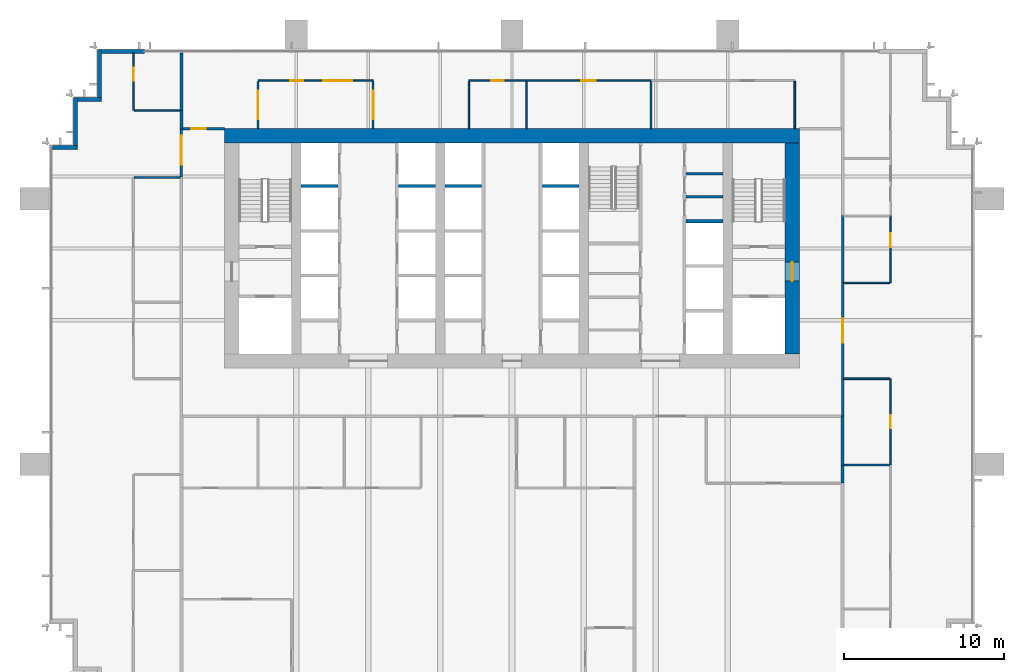
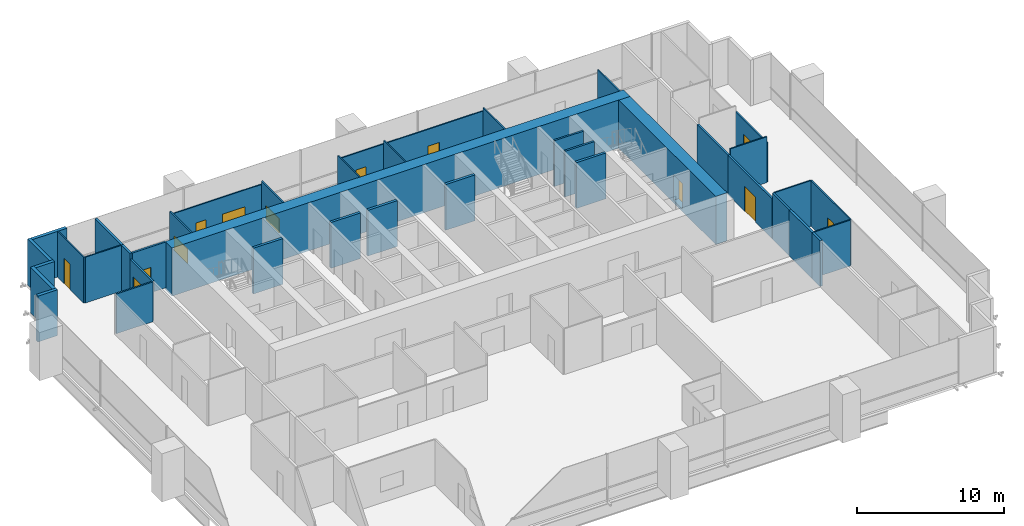
# One storey, part 13 of 16: 40 walls, 10 doors, 3 windows, 13 openings.
"""IFC4 building model written with IfcOpenShell, lengths in metres."""

from ifc_helpers import new_model, si_unit, direction, frame, frame_2d, origin, place, context, subcontext, project, spatial, rectangle, extrude, material, layer, layer_set, type_object, element, fill, save


model = new_model("IFC4")

# Units and contexts
model_context = context("Model", 3, precision=1e-05, world=origin(), true_north=direction((0.0, 1.0)))
body_context = subcontext(model_context, "Body", "Model", "MODEL_VIEW")
ifc_project = project(units=[si_unit("LENGTHUNIT", "METRE"), si_unit("AREAUNIT", "SQUARE_METRE"), si_unit("VOLUMEUNIT", "CUBIC_METRE"), si_unit("PLANEANGLEUNIT", "RADIAN"), si_unit("MASSUNIT", "GRAM", prefix="KILO")], contexts=[model_context])

# Site, building, storey
site_placement = place(None, origin())
site = spatial("IfcSite", under=ifc_project, at=site_placement, CompositionType="ELEMENT")
building_placement = place(site_placement, origin())
building = spatial("IfcBuilding", under=site, at=building_placement, Name="Rattan Terrace Tower", CompositionType="ELEMENT")
storey_placement = place(building_placement, frame((0.0, 0.0, 130.10009765625)))
storey = spatial("IfcBuildingStorey", under=building, at=storey_placement, Name="L29", CompositionType="ELEMENT", Elevation=130.10009765625)

# Walls
ifc_material_1 = material(Name="Gypsum board partition")
ifc_layer_1 = layer(ifc_material_1, 0.14990234375)
ifc_layer_set_1 = layer_set([ifc_layer_1], Name="Core partition 150")
wall_type_1 = type_object("IfcWallType", Name="Core partition 150", PredefinedType="PARTITIONING", material=ifc_layer_set_1)
for number, where, z_axis, x_axis, name in (
    (1, (10.89990234375, 3.239990234375, 0.0), (0.0, 0.0, 1.0), (1.0, 0.0, 0.0), "Riser room wall"),
    (2, (10.89990234375, 4.679931640625, 0.0), (0.0, 0.0, 1.0), (1.0, 0.0, 0.0), "Riser room wall"),
):
    element("IfcWall", number, at=place(storey_placement, frame(where, z_axis=z_axis, x_axis=x_axis)), inside=storey, type_object=wall_type_1, Name=name, PredefinedType="PARTITIONING", context=body_context, shape_type="SweptSolid", body=[
        extrude(rectangle(XDim=2.300048828125, YDim=0.14990234375, at=frame_2d((1.14990234375, 0.0))), origin(), (0.0, 0.0, 1.0), 3.7998046875),
    ])
ifc_material_2 = material(Name="Concrete C60/75", Category="concrete")
ifc_layer_2 = layer(ifc_material_2, 0.89990234375)
ifc_layer_set_2 = layer_set([ifc_layer_2], Name="Core ring wall 900 C60/75")
wall_type_2 = type_object("IfcWallType", Name="Core ring wall 900 C60/75", PredefinedType="SHEAR", material=ifc_layer_set_2)
wall_1_placement = place(storey_placement, frame((-18.0, 7.050048828125, -0.2001953125), z_axis=(0.0, 0.0, 1.0), x_axis=(1.0, 0.0, 0.0)))
element("IfcWall", 3, at=wall_1_placement, inside=storey, type_object=wall_type_2, Name="Rear core wall north", PredefinedType="SHEAR", context=body_context, shape_type="SweptSolid", body=[
    extrude(rectangle(XDim=36.0, YDim=0.89990234375, at=frame_2d((18.0, 0.0))), origin(), (0.0, 0.0, 1.0), 4.0),
])

# Wall, opening, door
wall_2_placement = place(storey_placement, frame((17.550048828125, -6.60009765625, -0.2001953125), z_axis=(0.0, 0.0, 1.0), x_axis=(0.0, 1.0, 0.0)))
wall_2 = element("IfcWall", 4, at=wall_2_placement, inside=storey, type_object=wall_type_2, Name="Rear core wall east", PredefinedType="SHEAR", context=body_context, shape_type="SweptSolid", body=[
    extrude(rectangle(XDim=13.2001953125, YDim=0.89990234375, at=frame_2d((6.60009765625, 0.0))), origin(), (0.0, 0.0, 1.0), 4.0),
])
opening_1_placement = place(wall_2_placement, frame((4.550048828125, 0.0, 0.199951171875)))
opening_1 = element("IfcOpeningElement", 5, at=opening_1_placement, cuts=wall_2, Name="Opening L29-D003", PredefinedType="OPENING", context=body_context, shape_type="SweptSolid", body=[
    extrude(rectangle(XDim=1.199951171875, YDim=2.10009765625, at=frame_2d((0.60009765625, 1.050048828125))), frame((0.0, 0.46044921875, 0.0), z_axis=(0.0, -1.0, 0.0), x_axis=(1.0, 0.0, 0.0)), (0.0, 0.0, 1.0), 0.9208984375),
])
ifc_material_3 = material(Name="Hollow-metal fire door leaf")
door_type_1 = type_object("IfcDoorType", Name="Core fire-fighting lobby door 1200", OperationType="NOTDEFINED", PredefinedType="DOOR", material=ifc_material_3)
door_1_placement = place(opening_1_placement, origin())
door_1 = element("IfcDoor", 6, at=door_1_placement, inside=storey, type_object=door_type_1, Name="Door L29-D003", OperationType="SINGLE_SWING_RIGHT", OverallHeight=2.10009765625, OverallWidth=1.199951171875, PredefinedType="DOOR", context=body_context, shape_type="SweptSolid", body=[
    extrude(rectangle(XDim=1.199951171875, YDim=2.10009765625, at=frame_2d((0.60009765625, 1.050048828125))), frame((0.0, 0.02490234375, 0.0), z_axis=(0.0, -1.0, 0.0), x_axis=(1.0, 0.0, 0.0)), (0.0, 0.0, 1.0), 0.050048828125),
])
fill(opening_1, door_1)

# Walls
ifc_material_4 = material(Name="Insulated aluminium-clad stud wall", Category="aluminium")
ifc_layer_3 = layer(ifc_material_4, 0.25)
ifc_layer_set_3 = layer_set([ifc_layer_3], Name="Facade Riser Wall 250")
wall_type_3 = type_object("IfcWallType", Name="Facade Riser Wall 250", PredefinedType="SOLIDWALL", material=ifc_layer_set_3)
wall_3_placement = place(storey_placement, frame((-23.0, 12.330078125, 0.0), z_axis=(0.0, 0.0, 1.0), x_axis=(-1.0, 0.0, 0.0)))
element("IfcWall", 7, at=wall_3_placement, inside=storey, type_object=wall_type_3, Name="Riser wall L29-11", PredefinedType="SOLIDWALL", context=body_context, shape_type="SweptSolid", body=[
    extrude(rectangle(XDim=2.705078125, YDim=0.25, at=frame_2d((1.3525390625, 0.0))), origin(), (0.0, 0.0, 1.0), 3.7998046875),
])
wall_4_placement = place(storey_placement, frame((-25.830078125, 12.455078125, 0.0), z_axis=(0.0, 0.0, 1.0), x_axis=(0.0, -1.0, 0.0)))
element("IfcWall", 8, at=wall_4_placement, inside=storey, type_object=wall_type_3, Name="Riser wall L29-12", PredefinedType="SOLIDWALL", context=body_context, shape_type="SweptSolid", body=[
    extrude(rectangle(XDim=3.0, YDim=0.25, at=frame_2d((1.5, 0.0))), origin(), (0.0, 0.0, 1.0), 3.7998046875),
])
wall_5_placement = place(storey_placement, frame((-25.705078125, 9.330078125, 0.0), z_axis=(0.0, 0.0, 1.0), x_axis=(-1.0, 0.0, 0.0)))
element("IfcWall", 9, at=wall_5_placement, inside=storey, type_object=wall_type_3, Name="Riser wall L29-13", PredefinedType="SOLIDWALL", context=body_context, shape_type="SweptSolid", body=[
    extrude(rectangle(XDim=1.5, YDim=0.25, at=frame_2d((0.75, 0.0))), origin(), (0.0, 0.0, 1.0), 3.7998046875),
])
wall_6_placement = place(storey_placement, frame((-27.330078125, 9.455078125, 0.0), z_axis=(0.0, 0.0, 1.0), x_axis=(0.0, -1.0, 0.0)))
element("IfcWall", 10, at=wall_6_placement, inside=storey, type_object=wall_type_3, Name="Riser wall L29-14", PredefinedType="SOLIDWALL", context=body_context, shape_type="SweptSolid", body=[
    extrude(rectangle(XDim=3.0, YDim=0.25, at=frame_2d((1.5, 0.0))), origin(), (0.0, 0.0, 1.0), 3.7998046875),
])
wall_7_placement = place(storey_placement, frame((-27.205078125, 6.330078125, 0.0), z_axis=(0.0, 0.0, 1.0), x_axis=(-1.0, 0.0, 0.0)))
element("IfcWall", 11, at=wall_7_placement, inside=storey, type_object=wall_type_3, Name="Riser wall L29-15", PredefinedType="SOLIDWALL", context=body_context, shape_type="SweptSolid", body=[
    extrude(rectangle(XDim=1.544921875, YDim=0.25, at=frame_2d((0.7724609375, 0.0))), origin(), (0.0, 0.0, 1.0), 3.7998046875),
])
ifc_material_5 = material(Name="Double steel stud acoustic partition, gypsum board, mineral wool, fire rated", Category="steel")
ifc_layer_4 = layer(ifc_material_5, 0.179931640625)
ifc_layer_set_4 = layer_set([ifc_layer_4], Name="Floors Acoustic Party Wall 180")
wall_type_4 = type_object("IfcWallType", Name="Floors Acoustic Party Wall 180", PredefinedType="PARTITIONING", material=ifc_layer_set_4)
wall_8_placement = place(storey_placement, frame((-20.699951171875, 8.639892578125, 0.0), z_axis=(0.0, 0.0, 1.0), x_axis=(0.0, -1.0, 0.0)))
element("IfcWall", 12, at=wall_8_placement, inside=storey, type_object=wall_type_4, Name="pt-L29-030", PredefinedType="PARTITIONING", context=body_context, shape_type="SweptSolid", body=[
    extrude(rectangle(XDim=1.159912109375, YDim=0.179931640625, at=frame_2d((0.580078125, 0.0))), origin(), (0.0, 0.0, 1.0), 3.7998046875),
])
wall_9_placement = place(storey_placement, frame((-20.699951171875, 12.239990234375, 0.0), z_axis=(0.0, 0.0, 1.0), x_axis=(0.0, -1.0, 0.0)))
element("IfcWall", 13, at=wall_9_placement, inside=storey, type_object=wall_type_4, Name="pt-L29-037", PredefinedType="PARTITIONING", context=body_context, shape_type="SweptSolid", body=[
    extrude(rectangle(XDim=3.60009765625, YDim=0.179931640625, at=frame_2d((1.800048828125, 0.0))), origin(), (0.0, 0.0, 1.0), 3.7998046875),
])
wall_10_placement = place(storey_placement, frame((20.699951171875, -13.580078125, 0.0), z_axis=(0.0, 0.0, 1.0), x_axis=(0.0, -1.0, 0.0)))
element("IfcWall", 14, at=wall_10_placement, inside=storey, type_object=wall_type_4, Name="pt-L29-060", PredefinedType="PARTITIONING", context=body_context, shape_type="SweptSolid", body=[
    extrude(rectangle(XDim=1.119873046875, YDim=0.179931640625, at=frame_2d((0.56005859375, 0.0))), origin(), (0.0, 0.0, 1.0), 3.7998046875),
])
wall_11_placement = place(storey_placement, frame((20.699951171875, -10.5, 0.0), z_axis=(0.0, 0.0, 1.0), x_axis=(0.0, -1.0, 0.0)))
element("IfcWall", 15, at=wall_11_placement, inside=storey, type_object=wall_type_4, Name="pt-L29-061", PredefinedType="PARTITIONING", context=body_context, shape_type="SweptSolid", body=[
    extrude(rectangle(XDim=3.080078125, YDim=0.179931640625, at=frame_2d((1.5400390625, 0.0))), origin(), (0.0, 0.0, 1.0), 3.7998046875),
])

# Wall, opening, door
ifc_material_6 = material(Name="Gypsum board partition on steel studs", Category="steel")
ifc_layer_5 = layer(ifc_material_6, 0.10009765625)
ifc_layer_set_5 = layer_set([ifc_layer_5], Name="Floors Partition 100")
wall_type_5 = type_object("IfcWallType", Name="Floors Partition 100", PredefinedType="PARTITIONING", material=ifc_layer_set_5)
wall_12_placement = place(storey_placement, frame((-23.699951171875, 12.239990234375, 0.0), z_axis=(0.0, 0.0, 1.0), x_axis=(0.0, -1.0, 0.0)))
wall_12 = element("IfcWall", 16, at=wall_12_placement, inside=storey, type_object=wall_type_5, Name="pt-L29-027", PredefinedType="PARTITIONING", context=body_context, shape_type="SweptSolid", body=[
    extrude(rectangle(XDim=3.60009765625, YDim=0.10009765625, at=frame_2d((1.800048828125, 0.0))), origin(), (0.0, 0.0, 1.0), 3.7998046875),
])
opening_2_placement = place(wall_12_placement, frame((0.93994140625, 0.0, 0.0)))
opening_2 = element("IfcOpeningElement", 17, at=opening_2_placement, cuts=wall_12, Name="Opening L29-D105", PredefinedType="OPENING", context=body_context, shape_type="SweptSolid", body=[
    extrude(rectangle(XDim=0.800048828125, YDim=2.10009765625, at=frame_2d((0.39990234375, 1.050048828125))), frame((0.0, 0.060546875, 0.0), z_axis=(0.0, -1.0, 0.0), x_axis=(1.0, 0.0, 0.0)), (0.0, 0.0, 1.0), 0.12109375),
])
ifc_material_7 = material(Name="Solid core timber door, painted", Category="wood")
door_type_2 = type_object("IfcDoorType", Name="Floors Store Door 800x2100", OperationType="NOTDEFINED", PredefinedType="DOOR", material=ifc_material_7)
door_2_placement = place(opening_2_placement, origin())
door_2 = element("IfcDoor", 18, at=door_2_placement, inside=storey, type_object=door_type_2, Name="d-L29-105", OperationType="SINGLE_SWING_LEFT", OverallHeight=2.10009765625, OverallWidth=0.800048828125, PredefinedType="DOOR", context=body_context, shape_type="SweptSolid", body=[
    extrude(rectangle(XDim=0.800048828125, YDim=2.10009765625, at=frame_2d((0.39990234375, 1.050048828125))), frame((0.0, 0.02490234375, 0.0), z_axis=(0.0, -1.0, 0.0), x_axis=(1.0, 0.0, 0.0)), (0.0, 0.0, 1.0), 0.050048828125),
])
fill(opening_2, door_2)

# Walls
wall_13_placement = place(storey_placement, frame((-23.64990234375, 8.639892578125, 0.0), z_axis=(0.0, 0.0, 1.0), x_axis=(1.0, 0.0, 0.0)))
element("IfcWall", 19, at=wall_13_placement, inside=storey, type_object=wall_type_5, Name="pt-L29-028", PredefinedType="PARTITIONING", context=body_context, shape_type="SweptSolid", body=[
    extrude(rectangle(XDim=2.85986328125, YDim=0.10009765625, at=frame_2d((1.429931640625, 0.0))), origin(), (0.0, 0.0, 1.0), 3.7998046875),
])
wall_14_placement = place(storey_placement, frame((23.64990234375, -8.159912109375, 0.0), z_axis=(0.0, 0.0, 1.0), x_axis=(-1.0, 0.0, 0.0)))
element("IfcWall", 20, at=wall_14_placement, inside=storey, type_object=wall_type_5, Name="pt-L29-065", PredefinedType="PARTITIONING", context=body_context, shape_type="SweptSolid", body=[
    extrude(rectangle(XDim=2.875, YDim=0.10009765625, at=frame_2d((1.4375, 0.0))), origin(), (0.0, 0.0, 1.0), 3.7998046875),
])

# Wall, opening, door
wall_15_placement = place(storey_placement, frame((23.699951171875, -13.5400390625, 0.0), z_axis=(0.0, 0.0, 1.0), x_axis=(0.0, 1.0, 0.0)))
wall_15 = element("IfcWall", 21, at=wall_15_placement, inside=storey, type_object=wall_type_5, Name="pt-L29-066", PredefinedType="PARTITIONING", context=body_context, shape_type="SweptSolid", body=[
    extrude(rectangle(XDim=5.380126953125, YDim=0.10009765625, at=frame_2d((2.68994140625, 0.0))), origin(), (0.0, 0.0, 1.0), 3.7998046875),
])
opening_3_placement = place(wall_15_placement, frame((2.2900390625, 0.0, 0.0)))
opening_3 = element("IfcOpeningElement", 22, at=opening_3_placement, cuts=wall_15, Name="Opening L29-D120", PredefinedType="OPENING", context=body_context, shape_type="SweptSolid", body=[
    extrude(rectangle(XDim=0.800048828125, YDim=2.10009765625, at=frame_2d((0.39990234375, 1.050048828125))), frame((0.0, 0.060546875, 0.0), z_axis=(0.0, -1.0, 0.0), x_axis=(1.0, 0.0, 0.0)), (0.0, 0.0, 1.0), 0.12109375),
])
door_3_placement = place(opening_3_placement, origin())
door_3 = element("IfcDoor", 23, at=door_3_placement, inside=storey, type_object=door_type_2, Name="d-L29-120", OperationType="SINGLE_SWING_LEFT", OverallHeight=2.10009765625, OverallWidth=0.800048828125, PredefinedType="DOOR", context=body_context, shape_type="SweptSolid", body=[
    extrude(rectangle(XDim=0.800048828125, YDim=2.10009765625, at=frame_2d((0.39990234375, 1.050048828125))), frame((0.0, 0.02490234375, 0.0), z_axis=(0.0, -1.0, 0.0), x_axis=(1.0, 0.0, 0.0)), (0.0, 0.0, 1.0), 0.050048828125),
])
fill(opening_3, door_3)

# Wall
wall_16_placement = place(storey_placement, frame((20.77490234375, -2.159912109375, 0.0), z_axis=(0.0, 0.0, 1.0), x_axis=(1.0, 0.0, 0.0)))
element("IfcWall", 24, at=wall_16_placement, inside=storey, type_object=wall_type_5, Name="pt-L29-067", PredefinedType="PARTITIONING", context=body_context, shape_type="SweptSolid", body=[
    extrude(rectangle(XDim=2.875, YDim=0.10009765625, at=frame_2d((1.4375, 0.0))), origin(), (0.0, 0.0, 1.0), 3.7998046875),
])

# Wall, opening, door
wall_17_placement = place(storey_placement, frame((23.699951171875, -2.159912109375, 0.0), z_axis=(0.0, 0.0, 1.0), x_axis=(0.0, 1.0, 0.0)))
wall_17 = element("IfcWall", 25, at=wall_17_placement, inside=storey, type_object=wall_type_5, Name="pt-L29-068", PredefinedType="PARTITIONING", context=body_context, shape_type="SweptSolid", body=[
    extrude(rectangle(XDim=4.219970703125, YDim=0.10009765625, at=frame_2d((2.10986328125, 0.0))), origin(), (0.0, 0.0, 1.0), 3.2998046875),
])
opening_4_placement = place(wall_17_placement, frame((2.22412109375, 0.0, 0.0)))
opening_4 = element("IfcOpeningElement", 26, at=opening_4_placement, cuts=wall_17, Name="Opening L29-D121", PredefinedType="OPENING", context=body_context, shape_type="SweptSolid", body=[
    extrude(rectangle(XDim=0.89990234375, YDim=2.10009765625, at=frame_2d((0.449951171875, 1.050048828125))), frame((0.0, 0.060546875, 0.0), z_axis=(0.0, -1.0, 0.0), x_axis=(1.0, 0.0, 0.0)), (0.0, 0.0, 1.0), 0.12109375),
])
ifc_material_8 = material(Name="Solid core timber door, painted", Category="wood")
door_type_3 = type_object("IfcDoorType", Name="Floors Door 900x2100", OperationType="NOTDEFINED", PredefinedType="DOOR", material=ifc_material_8)
door_4_placement = place(opening_4_placement, origin())
door_4 = element("IfcDoor", 27, at=door_4_placement, inside=storey, type_object=door_type_3, Name="d-L29-121", OperationType="SINGLE_SWING_RIGHT", OverallHeight=2.10009765625, OverallWidth=0.89990234375, PredefinedType="DOOR", context=body_context, shape_type="SweptSolid", body=[
    extrude(rectangle(XDim=0.89990234375, YDim=2.10009765625, at=frame_2d((0.449951171875, 1.050048828125))), frame((0.0, 0.02490234375, 0.0), z_axis=(0.0, -1.0, 0.0), x_axis=(1.0, 0.0, 0.0)), (0.0, 0.0, 1.0), 0.050048828125),
])
fill(opening_4, door_4)

# Wall
wall_18_placement = place(storey_placement, frame((20.7900390625, -13.56005859375, 0.0), z_axis=(0.0, 0.0, 1.0), x_axis=(1.0, 0.0, 0.0)))
element("IfcWall", 28, at=wall_18_placement, inside=storey, type_object=wall_type_5, Name="pt-L29-073", PredefinedType="PARTITIONING", context=body_context, shape_type="SweptSolid", body=[
    extrude(rectangle(XDim=2.85986328125, YDim=0.10009765625, at=frame_2d((1.429931640625, 0.0))), origin(), (0.0, 0.0, 1.0), 3.7998046875),
])

# Wall, opening, window
wall_19_placement = place(storey_placement, frame((-15.89990234375, 10.449951171875, 0.0), z_axis=(0.0, 0.0, 1.0), x_axis=(0.0, -1.0, 0.0)))
wall_19 = element("IfcWall", 29, at=wall_19_placement, inside=storey, type_object=wall_type_5, Name="pt-L29-077", PredefinedType="PARTITIONING", context=body_context, shape_type="SweptSolid", body=[
    extrude(rectangle(XDim=2.949951171875, YDim=0.10009765625, at=frame_2d((1.47509765625, 0.0))), origin(), (0.0, 0.0, 1.0), 3.7998046875),
])
opening_5_placement = place(wall_19_placement, frame((0.574951171875, 0.0, 0.89990234375)))
opening_5 = element("IfcOpeningElement", 30, at=opening_5_placement, cuts=wall_19, Name="Opening L29-W105", PredefinedType="OPENING", context=body_context, shape_type="SweptSolid", body=[
    extrude(rectangle(XDim=1.800048828125, YDim=1.199951171875, at=frame_2d((0.89990234375, 0.60009765625))), frame((0.0, 0.060546875, 0.0), z_axis=(0.0, -1.0, 0.0), x_axis=(1.0, 0.0, 0.0)), (0.0, 0.0, 1.0), 0.12109375),
])
ifc_material_9 = material(Name="Glass, clear, fixed in aluminium frame", Category="aluminium")
window_type = type_object("IfcWindowType", Name="Interior Vision Window 1800x1200", PartitioningType="SINGLE_PANEL", PredefinedType="WINDOW", material=ifc_material_9)
window_1_placement = place(opening_5_placement, origin())
window_1 = element("IfcWindow", 31, at=window_1_placement, inside=storey, type_object=window_type, Name="w-L29-105", OverallHeight=1.199951171875, OverallWidth=1.800048828125, PartitioningType="SINGLE_PANEL", PredefinedType="WINDOW", context=body_context, shape_type="SweptSolid", body=[
    extrude(rectangle(XDim=1.800048828125, YDim=1.199951171875, at=frame_2d((0.89990234375, 0.60009765625))), frame((0.0, 0.030029296875, 0.0), z_axis=(0.0, -1.0, 0.0), x_axis=(1.0, 0.0, 0.0)), (0.0, 0.0, 1.0), 0.06005859375),
])
fill(opening_5, window_1)

# Wall, openings, door, window
wall_20_placement = place(storey_placement, frame((-8.699951171875, 10.5, 0.0), z_axis=(0.0, 0.0, 1.0), x_axis=(-1.0, 0.0, 0.0)))
wall_20 = element("IfcWall", 32, at=wall_20_placement, inside=storey, type_object=wall_type_5, Name="pt-L29-078", PredefinedType="PARTITIONING", context=body_context, shape_type="SweptSolid", body=[
    extrude(rectangle(XDim=7.199951171875, YDim=0.10009765625, at=frame_2d((3.60009765625, 0.0))), origin(), (0.0, 0.0, 1.0), 3.5),
])
opening_6_placement = place(wall_20_placement, frame((4.3798828125, 0.0, 0.0)))
opening_6 = element("IfcOpeningElement", 33, at=opening_6_placement, cuts=wall_20, Name="Opening L29-D125", PredefinedType="OPENING", context=body_context, shape_type="SweptSolid", body=[
    extrude(rectangle(XDim=0.800048828125, YDim=2.10009765625, at=frame_2d((0.39990234375, 1.050048828125))), frame((0.0, 0.060546875, 0.0), z_axis=(0.0, -1.0, 0.0), x_axis=(1.0, 0.0, 0.0)), (0.0, 0.0, 1.0), 0.12109375),
])
opening_7_placement = place(wall_20_placement, frame((1.31494140625, 0.0, 0.89990234375)))
opening_7 = element("IfcOpeningElement", 34, at=opening_7_placement, cuts=wall_20, Name="Opening L29-W106", PredefinedType="OPENING", context=body_context, shape_type="SweptSolid", body=[
    extrude(rectangle(XDim=1.800048828125, YDim=1.199951171875, at=frame_2d((0.89990234375, 0.60009765625))), frame((0.0, 0.060546875, 0.0), z_axis=(0.0, -1.0, 0.0), x_axis=(1.0, 0.0, 0.0)), (0.0, 0.0, 1.0), 0.12109375),
])
door_5_placement = place(opening_6_placement, origin())
door_5 = element("IfcDoor", 35, at=door_5_placement, inside=storey, type_object=door_type_2, Name="d-L29-125", OperationType="SINGLE_SWING_RIGHT", OverallHeight=2.10009765625, OverallWidth=0.800048828125, PredefinedType="DOOR", context=body_context, shape_type="SweptSolid", body=[
    extrude(rectangle(XDim=0.800048828125, YDim=2.10009765625, at=frame_2d((0.39990234375, 1.050048828125))), frame((0.0, 0.02490234375, 0.0), z_axis=(0.0, -1.0, 0.0), x_axis=(1.0, 0.0, 0.0)), (0.0, 0.0, 1.0), 0.050048828125),
])
fill(opening_6, door_5)
window_2_placement = place(opening_7_placement, origin())
window_2 = element("IfcWindow", 36, at=window_2_placement, inside=storey, type_object=window_type, Name="w-L29-106", OverallHeight=1.199951171875, OverallWidth=1.800048828125, PartitioningType="SINGLE_PANEL", PredefinedType="WINDOW", context=body_context, shape_type="SweptSolid", body=[
    extrude(rectangle(XDim=1.800048828125, YDim=1.199951171875, at=frame_2d((0.89990234375, 0.60009765625))), frame((0.0, 0.030029296875, 0.0), z_axis=(0.0, -1.0, 0.0), x_axis=(1.0, 0.0, 0.0)), (0.0, 0.0, 1.0), 0.06005859375),
])
fill(opening_7, window_2)

# Wall, opening, window
wall_21_placement = place(storey_placement, frame((-8.699951171875, 7.5, 0.0), z_axis=(0.0, 0.0, 1.0), x_axis=(0.0, 1.0, 0.0)))
wall_21 = element("IfcWall", 37, at=wall_21_placement, inside=storey, type_object=wall_type_5, Name="pt-L29-079", PredefinedType="PARTITIONING", context=body_context, shape_type="SweptSolid", body=[
    extrude(rectangle(XDim=2.949951171875, YDim=0.10009765625, at=frame_2d((1.47509765625, 0.0))), origin(), (0.0, 0.0, 1.0), 3.7998046875),
])
opening_8_placement = place(wall_21_placement, frame((0.574951171875, 0.0, 0.89990234375)))
opening_8 = element("IfcOpeningElement", 38, at=opening_8_placement, cuts=wall_21, Name="Opening L29-W107", PredefinedType="OPENING", context=body_context, shape_type="SweptSolid", body=[
    extrude(rectangle(XDim=1.800048828125, YDim=1.199951171875, at=frame_2d((0.89990234375, 0.60009765625))), frame((0.0, 0.060546875, 0.0), z_axis=(0.0, -1.0, 0.0), x_axis=(1.0, 0.0, 0.0)), (0.0, 0.0, 1.0), 0.12109375),
])
window_3_placement = place(opening_8_placement, origin())
window_3 = element("IfcWindow", 39, at=window_3_placement, inside=storey, type_object=window_type, Name="w-L29-107", OverallHeight=1.199951171875, OverallWidth=1.800048828125, PartitioningType="SINGLE_PANEL", PredefinedType="WINDOW", context=body_context, shape_type="SweptSolid", body=[
    extrude(rectangle(XDim=1.800048828125, YDim=1.199951171875, at=frame_2d((0.89990234375, 0.60009765625))), frame((0.0, 0.030029296875, 0.0), z_axis=(0.0, -1.0, 0.0), x_axis=(1.0, 0.0, 0.0)), (0.0, 0.0, 1.0), 0.06005859375),
])
fill(opening_8, window_3)

# Wall
wall_22_placement = place(storey_placement, frame((-2.699951171875, 10.449951171875, 0.0), z_axis=(0.0, 0.0, 1.0), x_axis=(0.0, -1.0, 0.0)))
element("IfcWall", 40, at=wall_22_placement, inside=storey, type_object=wall_type_5, Name="pt-L29-080", PredefinedType="PARTITIONING", context=body_context, shape_type="SweptSolid", body=[
    extrude(rectangle(XDim=2.949951171875, YDim=0.10009765625, at=frame_2d((1.47509765625, 0.0))), origin(), (0.0, 0.0, 1.0), 3.7998046875),
])

# Wall, opening, door
wall_23_placement = place(storey_placement, frame((0.8798828125, 10.5, 0.0), z_axis=(0.0, 0.0, 1.0), x_axis=(-1.0, 0.0, 0.0)))
wall_23 = element("IfcWall", 41, at=wall_23_placement, inside=storey, type_object=wall_type_5, Name="pt-L29-081", PredefinedType="PARTITIONING", context=body_context, shape_type="SweptSolid", body=[
    extrude(rectangle(XDim=3.579833984375, YDim=0.10009765625, at=frame_2d((1.7900390625, 0.0))), origin(), (0.0, 0.0, 1.0), 3.5),
])
opening_9_placement = place(wall_23_placement, frame((1.389892578125, 0.0, 0.0)))
opening_9 = element("IfcOpeningElement", 42, at=opening_9_placement, cuts=wall_23, Name="Opening L29-D126", PredefinedType="OPENING", context=body_context, shape_type="SweptSolid", body=[
    extrude(rectangle(XDim=0.800048828125, YDim=2.10009765625, at=frame_2d((0.39990234375, 1.050048828125))), frame((0.0, 0.060546875, 0.0), z_axis=(0.0, -1.0, 0.0), x_axis=(1.0, 0.0, 0.0)), (0.0, 0.0, 1.0), 0.12109375),
])
door_6_placement = place(opening_9_placement, origin())
door_6 = element("IfcDoor", 43, at=door_6_placement, inside=storey, type_object=door_type_2, Name="d-L29-126", OperationType="SINGLE_SWING_LEFT", OverallHeight=2.10009765625, OverallWidth=0.800048828125, PredefinedType="DOOR", context=body_context, shape_type="SweptSolid", body=[
    extrude(rectangle(XDim=0.800048828125, YDim=2.10009765625, at=frame_2d((0.39990234375, 1.050048828125))), frame((0.0, 0.02490234375, 0.0), z_axis=(0.0, -1.0, 0.0), x_axis=(1.0, 0.0, 0.0)), (0.0, 0.0, 1.0), 0.050048828125),
])
fill(opening_9, door_6)

wall_24_placement = place(storey_placement, frame((8.679931640625, 10.5, 0.0), z_axis=(0.0, 0.0, 1.0), x_axis=(-1.0, 0.0, 0.0)))
wall_24 = element("IfcWall", 44, at=wall_24_placement, inside=storey, type_object=wall_type_5, Name="pt-L29-082", PredefinedType="PARTITIONING", context=body_context, shape_type="SweptSolid", body=[
    extrude(rectangle(XDim=7.800048828125, YDim=0.10009765625, at=frame_2d((3.89990234375, 0.0))), origin(), (0.0, 0.0, 1.0), 3.5),
])
opening_10_placement = place(wall_24_placement, frame((3.449951171875, 0.0, 0.0)))
opening_10 = element("IfcOpeningElement", 45, at=opening_10_placement, cuts=wall_24, Name="Opening L29-D127", PredefinedType="OPENING", context=body_context, shape_type="SweptSolid", body=[
    extrude(rectangle(XDim=0.89990234375, YDim=2.10009765625, at=frame_2d((0.449951171875, 1.050048828125))), frame((0.0, 0.060546875, 0.0), z_axis=(0.0, -1.0, 0.0), x_axis=(1.0, 0.0, 0.0)), (0.0, 0.0, 1.0), 0.12109375),
])
door_7_placement = place(opening_10_placement, origin())
door_7 = element("IfcDoor", 46, at=door_7_placement, inside=storey, type_object=door_type_3, Name="d-L29-127", OperationType="SINGLE_SWING_RIGHT", OverallHeight=2.10009765625, OverallWidth=0.89990234375, PredefinedType="DOOR", context=body_context, shape_type="SweptSolid", body=[
    extrude(rectangle(XDim=0.89990234375, YDim=2.10009765625, at=frame_2d((0.449951171875, 1.050048828125))), frame((0.0, 0.02490234375, 0.0), z_axis=(0.0, -1.0, 0.0), x_axis=(1.0, 0.0, 0.0)), (0.0, 0.0, 1.0), 0.050048828125),
])
fill(opening_10, door_7)

# Walls
for number, where, z_axis, x_axis, name in (
    (47, (17.699951171875, 7.5, 0.0), (0.0, 0.0, 1.0), (0.0, 1.0, 0.0), "pt-L29-084"),
    (48, (0.89990234375, 10.449951171875, 0.0), (0.0, 0.0, 1.0), (0.0, -1.0, 0.0), "pt-L29-085"),
    (49, (8.699951171875, 10.449951171875, 0.0), (0.0, 0.0, 1.0), (0.0, -1.0, 0.0), "pt-L29-086"),
):
    element("IfcWall", number, at=place(storey_placement, frame(where, z_axis=z_axis, x_axis=x_axis)), inside=storey, type_object=wall_type_5, Name=name, PredefinedType="PARTITIONING", context=body_context, shape_type="SweptSolid", body=[
        extrude(rectangle(XDim=2.949951171875, YDim=0.10009765625, at=frame_2d((1.47509765625, 0.0))), origin(), (0.0, 0.0, 1.0), 3.7998046875),
    ])

# Wall, opening, door
ifc_material_10 = material(Name="Gypsum board partition on steel studs, fire rated", Category="steel")
ifc_layer_6 = layer(ifc_material_10, 0.14990234375)
ifc_layer_set_6 = layer_set([ifc_layer_6], Name="Floors Tenancy Wall 150")
wall_type_6 = type_object("IfcWallType", Name="Floors Tenancy Wall 150", PredefinedType="PARTITIONING", material=ifc_layer_set_6)
wall_25_placement = place(storey_placement, frame((-20.699951171875, 4.4599609375, 0.0), z_axis=(0.0, 0.0, 1.0), x_axis=(0.0, 1.0, 0.0)))
wall_25 = element("IfcWall", 50, at=wall_25_placement, inside=storey, type_object=wall_type_6, Name="pt-L29-002", PredefinedType="PARTITIONING", context=body_context, shape_type="SweptSolid", body=[
    extrude(rectangle(XDim=3.02001953125, YDim=0.14990234375, at=frame_2d((1.510009765625, 0.0))), origin(), (0.0, 0.0, 1.0), 3.2998046875),
])
opening_11_placement = place(wall_25_placement, frame((0.7900390625, 0.0, 0.0)))
opening_11 = element("IfcOpeningElement", 51, at=opening_11_placement, cuts=wall_25, Name="Opening L29-D100", PredefinedType="OPENING", context=body_context, shape_type="SweptSolid", body=[
    extrude(rectangle(XDim=1.800048828125, YDim=2.10009765625, at=frame_2d((0.89990234375, 1.050048828125))), frame((0.0, 0.08544921875, 0.0), z_axis=(0.0, -1.0, 0.0), x_axis=(1.0, 0.0, 0.0)), (0.0, 0.0, 1.0), 0.1708984375),
])
ifc_material_11 = material(Name="Steel fire door set", Category="steel")
door_type_4 = type_object("IfcDoorType", Name="Floors Fire Door Pair FD30S 1800x2100", OperationType="NOTDEFINED", PredefinedType="DOOR", material=ifc_material_11)
door_8_placement = place(opening_11_placement, origin())
door_8 = element("IfcDoor", 52, at=door_8_placement, inside=storey, type_object=door_type_4, Name="d-L29-100", OperationType="DOUBLE_DOOR_SINGLE_SWING", OverallHeight=2.10009765625, OverallWidth=1.800048828125, PredefinedType="DOOR", context=body_context, shape_type="SweptSolid", body=[
    extrude(rectangle(XDim=1.800048828125, YDim=2.10009765625, at=frame_2d((0.89990234375, 1.050048828125))), frame((0.0, 0.02490234375, 0.0), z_axis=(0.0, -1.0, 0.0), x_axis=(1.0, 0.0, 0.0)), (0.0, 0.0, 1.0), 0.050048828125),
])
fill(opening_11, door_8)

wall_26_placement = place(storey_placement, frame((20.699951171875, -2.139892578125, 0.0), z_axis=(0.0, 0.0, 1.0), x_axis=(0.0, -1.0, 0.0)))
wall_26 = element("IfcWall", 53, at=wall_26_placement, inside=storey, type_object=wall_type_6, Name="pt-L29-013", PredefinedType="PARTITIONING", context=body_context, shape_type="SweptSolid", body=[
    extrude(rectangle(XDim=6.0400390625, YDim=0.14990234375, at=frame_2d((3.02001953125, 0.0))), origin(), (0.0, 0.0, 1.0), 3.2998046875),
])
opening_12_placement = place(wall_26_placement, frame((2.27001953125, 0.0, 0.0)))
opening_12 = element("IfcOpeningElement", 54, at=opening_12_placement, cuts=wall_26, Name="Opening L29-D116", PredefinedType="OPENING", context=body_context, shape_type="SweptSolid", body=[
    extrude(rectangle(XDim=1.5, YDim=2.10009765625, at=frame_2d((0.75, 1.050048828125))), frame((0.0, 0.08544921875, 0.0), z_axis=(0.0, -1.0, 0.0), x_axis=(1.0, 0.0, 0.0)), (0.0, 0.0, 1.0), 0.1708984375),
])
ifc_material_12 = material(Name="Steel fire door set", Category="steel")
door_type_5 = type_object("IfcDoorType", Name="Floors Unit Door Pair FD30S 1500x2100", OperationType="NOTDEFINED", PredefinedType="DOOR", material=ifc_material_12)
door_9_placement = place(opening_12_placement, origin())
door_9 = element("IfcDoor", 55, at=door_9_placement, inside=storey, type_object=door_type_5, Name="d-L29-116", OperationType="DOUBLE_DOOR_SINGLE_SWING", OverallHeight=2.10009765625, OverallWidth=1.5, PredefinedType="DOOR", context=body_context, shape_type="SweptSolid", body=[
    extrude(rectangle(XDim=1.5, YDim=2.10009765625, at=frame_2d((0.75, 1.050048828125))), frame((0.0, 0.02490234375, 0.0), z_axis=(0.0, -1.0, 0.0), x_axis=(1.0, 0.0, 0.0)), (0.0, 0.0, 1.0), 0.050048828125),
])
fill(opening_12, door_9)

# Walls
wall_27_placement = place(storey_placement, frame((20.700927734375, -8.179931640625, 0.0), z_axis=(0.0, 0.0, 1.0), x_axis=(0.0, -1.0, 0.0)))
element("IfcWall", 56, at=wall_27_placement, inside=storey, type_object=wall_type_6, Name="pt-L29-014", PredefinedType="PARTITIONING", context=body_context, shape_type="SweptSolid", body=[
    extrude(rectangle(XDim=2.320068359375, YDim=0.14990234375, at=frame_2d((1.16015625, 0.0))), origin(), (0.0, 0.0, 1.0), 3.7998046875),
])
wall_28_placement = place(storey_placement, frame((20.699951171875, 2.06005859375, 0.0), z_axis=(0.0, 0.0, 1.0), x_axis=(0.0, -1.0, 0.0)))
element("IfcWall", 57, at=wall_28_placement, inside=storey, type_object=wall_type_6, Name="pt-L29-015", PredefinedType="PARTITIONING", context=body_context, shape_type="SweptSolid", body=[
    extrude(rectangle(XDim=4.199951171875, YDim=0.14990234375, at=frame_2d((2.10009765625, 0.0))), origin(), (0.0, 0.0, 1.0), 3.2998046875),
])

# Wall, opening, door
wall_29_placement = place(storey_placement, frame((-20.625, 7.5, 0.0), z_axis=(0.0, 0.0, 1.0), x_axis=(1.0, 0.0, 0.0)))
wall_29 = element("IfcWall", 58, at=wall_29_placement, inside=storey, type_object=wall_type_6, Name="pt-L29-018", PredefinedType="PARTITIONING", context=body_context, shape_type="SweptSolid", body=[
    extrude(rectangle(XDim=2.625, YDim=0.14990234375, at=frame_2d((1.3125, 0.0))), origin(), (0.0, 0.0, 1.0), 3.7998046875),
])
opening_13_placement = place(wall_29_placement, frame((0.555908203125, 0.0, 0.0)))
opening_13 = element("IfcOpeningElement", 59, at=opening_13_placement, cuts=wall_29, Name="Opening L29-D124", PredefinedType="OPENING", context=body_context, shape_type="SweptSolid", body=[
    extrude(rectangle(XDim=0.89990234375, YDim=2.10009765625, at=frame_2d((0.449951171875, 1.050048828125))), frame((0.0, 0.08544921875, 0.0), z_axis=(0.0, -1.0, 0.0), x_axis=(1.0, 0.0, 0.0)), (0.0, 0.0, 1.0), 0.1708984375),
])
ifc_material_13 = material(Name="Steel fire door set", Category="steel")
door_type_6 = type_object("IfcDoorType", Name="Floors Fire Door FD30S 900x2100", OperationType="NOTDEFINED", PredefinedType="DOOR", material=ifc_material_13)
door_10_placement = place(opening_13_placement, origin())
door_10 = element("IfcDoor", 60, at=door_10_placement, inside=storey, type_object=door_type_6, Name="d-L29-124", OperationType="SINGLE_SWING_LEFT", OverallHeight=2.10009765625, OverallWidth=0.89990234375, PredefinedType="DOOR", context=body_context, shape_type="SweptSolid", body=[
    extrude(rectangle(XDim=0.89990234375, YDim=2.10009765625, at=frame_2d((0.449951171875, 1.050048828125))), frame((0.0, 0.02490234375, 0.0), z_axis=(0.0, -1.0, 0.0), x_axis=(1.0, 0.0, 0.0)), (0.0, 0.0, 1.0), 0.050048828125),
])
fill(opening_13, door_10)

# Walls
ifc_material_14 = material(Name="Moisture resistant gypsum board partition on steel studs with service cavity", Category="steel")
ifc_layer_7 = layer(ifc_material_14, 0.1201171875)
ifc_layer_set_7 = layer_set([ifc_layer_7], Name="Floors Wet Wall 120")
wall_type_7 = type_object("IfcWallType", Name="Floors Wet Wall 120", PredefinedType="PARTITIONING", material=ifc_layer_set_7)
wall_30_placement = place(storey_placement, frame((-20.77490234375, 4.43994140625, 0.0), z_axis=(0.0, 0.0, 1.0), x_axis=(-1.0, 0.0, 0.0)))
element("IfcWall", 61, at=wall_30_placement, inside=storey, type_object=wall_type_7, Name="pt-L29-026", PredefinedType="PARTITIONING", context=body_context, shape_type="SweptSolid", body=[
    extrude(rectangle(XDim=2.864990234375, YDim=0.1201171875, at=frame_2d((1.4326171875, 0.0))), origin(), (0.0, 0.0, 1.0), 3.2998046875),
])
ifc_material_15 = material(Name="Gypsum shaft wall system")
ifc_layer_8 = layer(ifc_material_15, 0.199951171875)
ifc_layer_set_8 = layer_set([ifc_layer_8], Name="Lift shaft wall 200")
wall_type_8 = type_object("IfcWallType", Name="Lift shaft wall 200", PredefinedType="PARTITIONING", material=ifc_layer_set_8)
for number, where, z_axis, x_axis, name in (
    (62, (-13.199951171875, 3.89990234375, 0.0), (0.0, 0.0, 1.0), (1.0, 0.0, 0.0), "Lift shaft wall"),
    (63, (-7.10009765625, 3.89990234375, 0.0), (0.0, 0.0, 1.0), (1.0, 0.0, 0.0), "Lift shaft wall"),
    (64, (-4.199951171875, 3.89990234375, 0.0), (0.0, 0.0, 1.0), (1.0, 0.0, 0.0), "Lift shaft wall"),
    (65, (1.89990234375, 3.89990234375, 0.0), (0.0, 0.0, 1.0), (1.0, 0.0, 0.0), "Lift shaft wall"),
    (66, (10.89990234375, 1.699951171875, 0.0), (0.0, 0.0, 1.0), (1.0, 0.0, 0.0), "Lift shaft wall"),
):
    element("IfcWall", number, at=place(storey_placement, frame(where, z_axis=z_axis, x_axis=x_axis)), inside=storey, type_object=wall_type_8, Name=name, PredefinedType="PARTITIONING", context=body_context, shape_type="SweptSolid", body=[
        extrude(rectangle(XDim=2.300048828125, YDim=0.199951171875, at=frame_2d((1.14990234375, 0.0))), origin(), (0.0, 0.0, 1.0), 3.7998046875),
    ])

save(model, "model.ifc")
